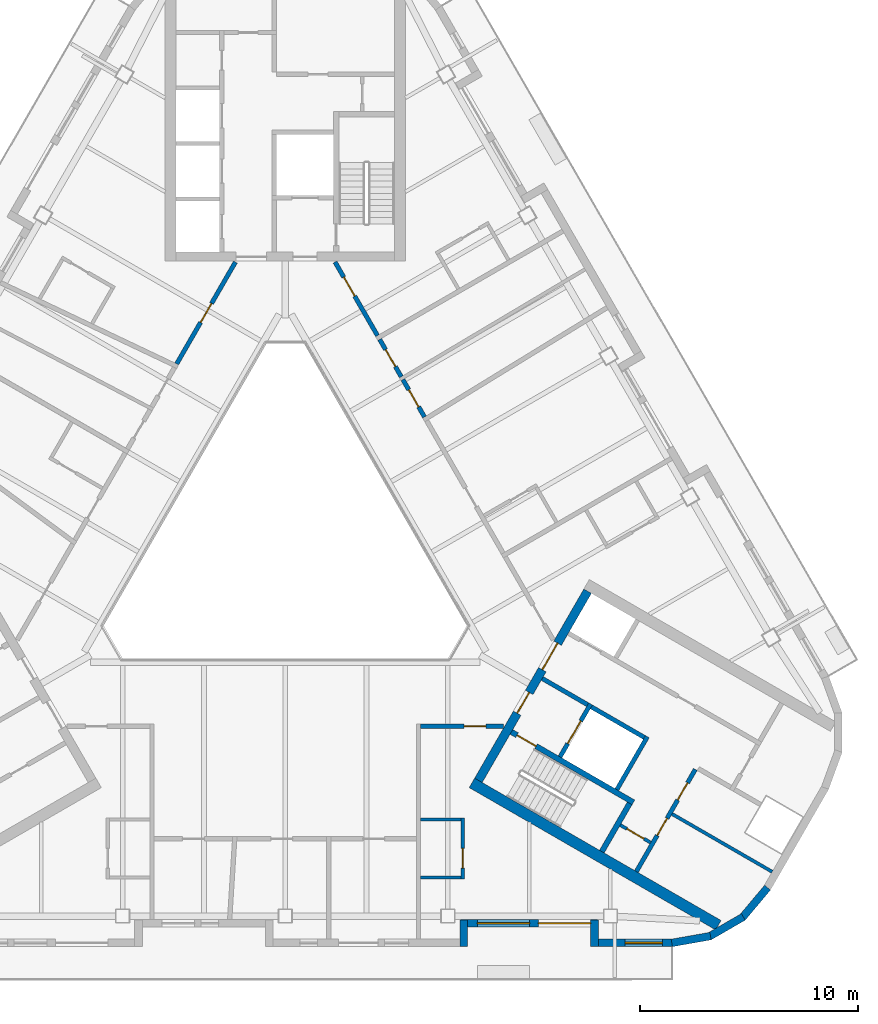
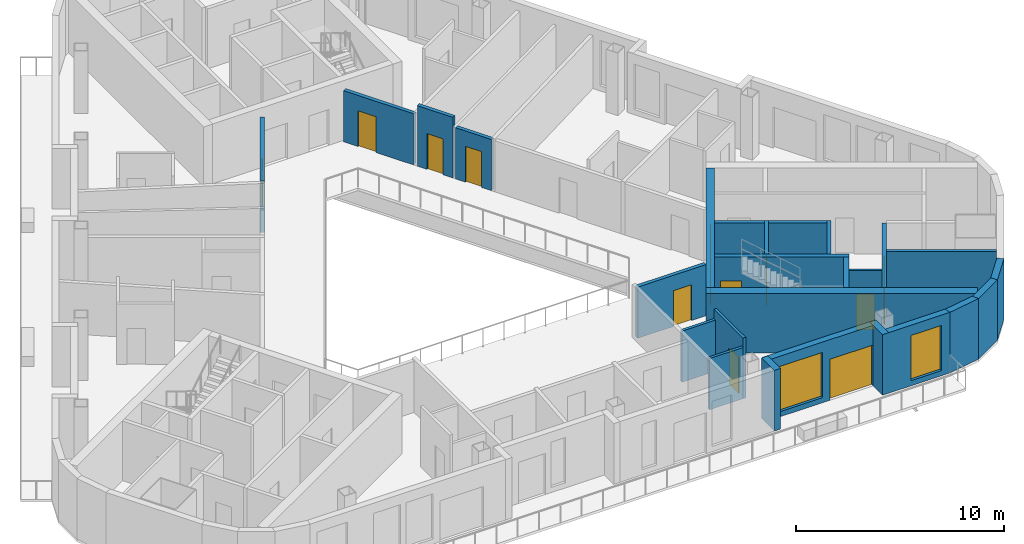
# One storey, part 5 of 13: 26 walls, 14 doors, 2 windows, 16 openings.
"""IFC4 building model written with IfcOpenShell, lengths in metres."""

import ifcopenshell
import ifcopenshell.guid

model = None  # the IFC model being written
_history = None  # IfcOwnerHistory: only IFC2X3 demands one
_inside = {}  # id of a spatial element -> (the spatial element, [elements in it])
_under = {}  # id of a project, library or spatial element -> (it, [spatial elements below it])
_declared = {}  # id of a project -> (the project, [libraries it declares])
_typed = {}  # id of a type object -> (the type object, [elements of that type])
_made_of = {}  # id of a material, layer set ... -> (it, [elements and type objects made of it])


def new_model(schema):
    """Start an empty IFC model of exactly this schema.

    Asked for "IFC4X3", IfcOpenShell would pick the latest addendum, in which some entities
    have other attributes; the version numbers below select the first issue.
    IFC2X3 requires an IfcOwnerHistory on every rooted entity: one is made here for all.
    """
    global model, _history
    if schema == "IFC4X3":
        model = ifcopenshell.file(schema_version=(4, 3, 0, 0))
    else:
        model = ifcopenshell.file(schema=schema)
    _inside.clear()
    _under.clear()
    _declared.clear()
    _typed.clear()
    _made_of.clear()
    _history = None
    if model.schema == "IFC2X3":
        org = make("IfcOrganization", Name="unknown")
        user = make(
            "IfcPersonAndOrganization",
            ThePerson=make("IfcPerson", FamilyName="unknown"),
            TheOrganization=org,
        )
        app = make(
            "IfcApplication",
            ApplicationDeveloper=org,
            Version="unknown",
            ApplicationFullName="unknown",
            ApplicationIdentifier="unknown",
        )
        _history = make(
            "IfcOwnerHistory",
            OwningUser=user,
            OwningApplication=app,
            ChangeAction="ADDED",
            CreationDate=0,
        )
    return model


def make(cls, **values):
    """One entity of the class cls with the attributes given. An attribute that is None is left unset."""
    return model.create_entity(
        cls, **{name: value for name, value in values.items() if value is not None}
    )


def rooted(cls, **values):
    """An entity with a GlobalId (a new one), such as an element, a storey or a relation."""
    return make(cls, GlobalId=ifcopenshell.guid.new(), OwnerHistory=_history, **values)


def si_unit(unit_type, name, prefix=None):
    """IfcSIUnit, for example si_unit("LENGTHUNIT", "METRE", prefix="MILLI")."""
    return make("IfcSIUnit", UnitType=unit_type, Prefix=prefix, Name=name)


def assignment(units):
    """IfcUnitAssignment: the units of a project."""
    return None if units is None else make("IfcUnitAssignment", Units=units)


def point(xyz):
    """IfcCartesianPoint."""
    return None if xyz is None else make("IfcCartesianPoint", Coordinates=xyz)


def direction(xyz):
    """IfcDirection."""
    return None if xyz is None else make("IfcDirection", DirectionRatios=xyz)


def frame(location, z_axis=None, x_axis=None):
    """IfcAxis2Placement3D, a coordinate frame: its origin and axes. An axis left out is left unset."""
    return make(
        "IfcAxis2Placement3D",
        Location=point(location),
        Axis=direction(z_axis),
        RefDirection=direction(x_axis),
    )


def frame_2d(location, x_axis=None):
    """IfcAxis2Placement2D, a coordinate frame in the plane: its origin and x axis."""
    return make(
        "IfcAxis2Placement2D", Location=point(location), RefDirection=direction(x_axis)
    )


def origin():
    """The frame at (0, 0, 0) with its axes left unset."""
    return frame((0.0, 0.0, 0.0))


def place(relative_to, where):
    """IfcLocalPlacement: puts the frame where relative to a parent placement (None: the world)."""
    return make(
        "IfcLocalPlacement", PlacementRelTo=relative_to, RelativePlacement=where
    )


def context(
    kind, dimensions, precision=None, world=None, true_north=None, identifier=None
):
    """IfcGeometricRepresentationContext, for example the 3D "Model" context."""
    return make(
        "IfcGeometricRepresentationContext",
        ContextIdentifier=identifier,
        ContextType=kind,
        CoordinateSpaceDimension=dimensions,
        Precision=precision,
        WorldCoordinateSystem=world,
        TrueNorth=true_north,
    )


def subcontext(parent, identifier, kind, view, scale=None):
    """IfcGeometricRepresentationSubContext, for example "Body" below "Model"."""
    return make(
        "IfcGeometricRepresentationSubContext",
        ContextIdentifier=identifier,
        ContextType=kind,
        ParentContext=parent,
        TargetScale=scale,
        TargetView=view,
    )


def project(units=None, contexts=None):
    """IfcProject with its units and contexts."""
    return rooted(
        "IfcProject",
        Name="project",
        RepresentationContexts=contexts,
        UnitsInContext=assignment(units),
    )


def spatial(cls, under=None, at=None, **own):
    """A site, building, storey or space (cls), placed at a placement, below another one or the project."""
    s = rooted(cls, ObjectPlacement=at, **own)
    if under is not None:
        _under.setdefault(under.id(), (under, []))[1].append(s)
    return s


def profile(cls, at=None, kind="AREA", **sizes):
    """A parametric profile (cls). Its sizes go by their IFC names, for example OverallWidth=200.0."""
    return make(cls, ProfileType=kind, Position=at, **sizes)


def rectangle(**sizes):
    """IfcRectangleProfileDef."""
    return profile("IfcRectangleProfileDef", **sizes)


def extrude(swept, where, along, depth):
    """IfcExtrudedAreaSolid: the profile swept, set in the frame where, extruded along a direction by depth."""
    return make(
        "IfcExtrudedAreaSolid",
        SweptArea=swept,
        Position=where,
        ExtrudedDirection=direction(along),
        Depth=depth,
    )


def shape(context_of_items, identifier, shape_type, items):
    """IfcShapeRepresentation: the items that make up one representation, for example the "Body"."""
    return make(
        "IfcShapeRepresentation",
        ContextOfItems=context_of_items,
        RepresentationIdentifier=identifier,
        RepresentationType=shape_type,
        Items=items,
    )


def material(Name=None, Category=None):
    """IfcMaterial."""
    return make("IfcMaterial", Name=Name, Category=Category)


def layer(
    of_material, thickness, ventilated=None, Name=None, Category=None, Priority=None
):
    """IfcMaterialLayer: one layer of a wall or slab, of a material (None: an air gap)."""
    return make(
        "IfcMaterialLayer",
        Material=of_material,
        LayerThickness=thickness,
        IsVentilated=ventilated,
        Name=Name,
        Category=Category,
        Priority=Priority,
    )


def layer_set(layers, Name=None):
    """IfcMaterialLayerSet."""
    return make("IfcMaterialLayerSet", MaterialLayers=layers, LayerSetName=Name)


def made_of(thing, what):
    """Note that an element or type object is made of a material, layer set ...; save() writes the relation."""
    if what is not None:
        _made_of.setdefault(what.id(), (what, []))[1].append(thing)
    return thing


def type_object(cls, material=None, **own):
    """A type object (cls), such as IfcWallType, which elements share."""
    return made_of(rooted(cls, **own), material)


def element(
    cls,
    number,
    at=None,
    inside=None,
    cuts=None,
    type_object=None,
    material=None,
    context=None,
    identifier="Body",
    shape_type=None,
    held_by="IfcProductDefinitionShape",
    body=None,
    shapes=None,
    **own,
):
    """One element of the class cls, such as IfcWall. Its Tag is "e" and its number.

    at: its placement. inside: the storey or other place that contains it. cuts: it is an
    opening in that element (IfcRelVoidsElement). A single representation is given by context,
    identifier, shape_type and body (its items); several are given by shapes. held_by: the class
    of the entity that holds the representations. save() writes the other relations.
    """
    e = rooted(cls, Tag="e%d" % number, ObjectPlacement=at, **own)
    if body is not None:
        shapes = [shape(context, identifier, shape_type, body)]
    if shapes is not None:
        e.Representation = make(held_by, Representations=shapes)
    if inside is not None:
        _inside.setdefault(inside.id(), (inside, []))[1].append(e)
    if cuts is not None:
        rooted(
            "IfcRelVoidsElement", RelatingBuildingElement=cuts, RelatedOpeningElement=e
        )
    if type_object is not None:
        _typed.setdefault(type_object.id(), (type_object, []))[1].append(e)
    return made_of(e, material)


def fill(opening, filler):
    """IfcRelFillsElement: the door or window that sits in an opening."""
    return rooted(
        "IfcRelFillsElement",
        RelatingOpeningElement=opening,
        RelatedBuildingElement=filler,
    )


def aggregate(whole, parts):
    """IfcRelAggregates: a whole, such as a stair, and the parts it consists of."""
    return rooted("IfcRelAggregates", RelatingObject=whole, RelatedObjects=parts)


def save(model, path):
    """Write the relations noted so far, then the file.

    IfcRelAggregates (storeys below a building ...), IfcRelContainedInSpatialStructure (elements
    in a storey), IfcRelDefinesByType, IfcRelAssociatesMaterial and IfcRelDeclares: one each for
    every whole, place, type object, material and project.
    """
    for whole, parts in _under.values():
        aggregate(whole, parts)
    for where, things in _inside.values():
        rooted(
            "IfcRelContainedInSpatialStructure",
            RelatedElements=things,
            RelatingStructure=where,
        )
    for kind, things in _typed.values():
        rooted("IfcRelDefinesByType", RelatedObjects=things, RelatingType=kind)
    for what, things in _made_of.values():
        rooted("IfcRelAssociatesMaterial", RelatedObjects=things, RelatingMaterial=what)
    for by, libraries in _declared.values():
        rooted("IfcRelDeclares", RelatingContext=by, RelatedDefinitions=libraries)
    model.write(path)


model = new_model("IFC4")

# Units and contexts
model_context = context("Model", 3, precision=1e-05, world=origin(), true_north=direction((0.0, 1.0)))
body_context = subcontext(model_context, "Body", "Model", "MODEL_VIEW")
ifc_project = project(units=[si_unit("LENGTHUNIT", "METRE"), si_unit("AREAUNIT", "SQUARE_METRE"), si_unit("VOLUMEUNIT", "CUBIC_METRE"), si_unit("PLANEANGLEUNIT", "RADIAN"), si_unit("MASSUNIT", "GRAM", prefix="KILO")], contexts=[model_context])

# Site, building, storey
site_placement = place(None, origin())
site = spatial("IfcSite", under=ifc_project, at=site_placement, CompositionType="ELEMENT")
building_placement = place(site_placement, origin())
building = spatial("IfcBuilding", under=site, at=building_placement, Name="Apuvela Tower Hotel", CompositionType="ELEMENT")
storey_placement = place(building_placement, frame((0.0, 0.0, 272.60009765625)))
storey = spatial("IfcBuildingStorey", under=building, at=storey_placement, Name="L67", CompositionType="ELEMENT", Elevation=272.60009765625)

# Wall, openings, doors
ifc_material_1 = material(Name="Concrete C50/60", Category="concrete")
ifc_layer_1 = layer(ifc_material_1, 0.39990234375)
ifc_layer_set_1 = layer_set([ifc_layer_1], Name="COR-WALL-CORE-400")
wall_type_1 = type_object("IfcWallType", Name="COR-WALL-CORE-400", PredefinedType="SHEAR", material=ifc_layer_set_1)
wall_1_placement = place(storey_placement, frame((8.844970703125, -10.880126953125, 0.0), z_axis=(0.0, 0.0, 1.0), x_axis=(0.500004234368, 0.866022959057, 0.0)))
wall_1 = element("IfcWall", 1, at=wall_1_placement, inside=storey, type_object=wall_type_1, Name="Core wall SE", PredefinedType="SHEAR", context=body_context, shape_type="SweptSolid", body=[
    extrude(rectangle(XDim=10.0, YDim=0.39990234375, at=frame_2d((5.0, 0.0))), origin(), (0.0, 0.0, 1.0), 3.5),
])
opening_1_placement = place(wall_1_placement, frame((3.550048828125, 0.0, 0.0)))
opening_1 = element("IfcOpeningElement", 2, at=opening_1_placement, cuts=wall_1, Name="Opening E-FD", PredefinedType="OPENING", context=body_context, shape_type="SweptSolid", body=[
    extrude(rectangle(XDim=1.10009765625, YDim=2.10009765625, at=frame_2d((0.550048828125, 1.050048828125))), frame((0.0, 0.2099609375, 0.0), z_axis=(0.0, -1.0, 0.0), x_axis=(1.0, 0.0, 0.0)), (0.0, 0.0, 1.0), 0.419921875),
])
opening_2_placement = place(wall_1_placement, frame((5.85009765625, 0.0, 0.0)))
opening_2 = element("IfcOpeningElement", 3, at=opening_2_placement, cuts=wall_1, Name="Opening E-GD", PredefinedType="OPENING", context=body_context, shape_type="SweptSolid", body=[
    extrude(rectangle(XDim=1.39990234375, YDim=2.10009765625, at=frame_2d((0.699951171875, 1.050048828125))), frame((0.0, 0.2099609375, 0.0), z_axis=(0.0, -1.0, 0.0), x_axis=(1.0, 0.0, 0.0)), (0.0, 0.0, 1.0), 0.419921875),
])
ifc_material_2 = material(Name="Steel fire door, powder coated", Category="steel")
door_type_1 = type_object("IfcDoorType", Name="COR-FD-1100", OperationType="NOTDEFINED", PredefinedType="DOOR", material=ifc_material_2)
door_1_placement = place(opening_1_placement, frame((1.10009765625, 0.0, 0.0), z_axis=(0.0, 0.0, 1.0), x_axis=(-1.0, 0.0, 0.0)))
door_1 = element("IfcDoor", 4, at=door_1_placement, inside=storey, type_object=door_type_1, Name="Firefighting lobby door E-FD", OperationType="SINGLE_SWING_LEFT", OverallHeight=2.10009765625, OverallWidth=1.10009765625, PredefinedType="DOOR", context=body_context, shape_type="SweptSolid", body=[
    extrude(rectangle(XDim=1.10009765625, YDim=2.10009765625, at=frame_2d((0.550048828125, 1.050048828125))), frame((0.0, 0.02490234375, 0.0), z_axis=(0.0, -1.0, 0.0), x_axis=(1.0, 0.0, 0.0)), (0.0, 0.0, 1.0), 0.050048828125),
])
fill(opening_1, door_1)
ifc_material_3 = material(Name="Glazed steel fire door", Category="steel")
door_type_2 = type_object("IfcDoorType", Name="COR-GD-1400", OperationType="DOUBLE_DOOR_SINGLE_SWING", PredefinedType="DOOR", material=ifc_material_3)
door_2_placement = place(opening_2_placement, frame((1.39990234375, 0.0, 0.0), z_axis=(0.0, 0.0, 1.0), x_axis=(-1.0, 0.0, 0.0)))
door_2 = element("IfcDoor", 5, at=door_2_placement, inside=storey, type_object=door_type_2, Name="Lift lobby door E-GD", OperationType="DOUBLE_DOOR_SINGLE_SWING", OverallHeight=2.10009765625, OverallWidth=1.39990234375, PredefinedType="DOOR", context=body_context, shape_type="SweptSolid", body=[
    extrude(rectangle(XDim=1.39990234375, YDim=2.10009765625, at=frame_2d((0.699951171875, 1.050048828125))), frame((0.0, 0.02490234375, 0.0), z_axis=(0.0, -1.0, 0.0), x_axis=(1.0, 0.0, 0.0)), (0.0, 0.0, 1.0), 0.050048828125),
])
fill(opening_2, door_2)

# Wall
ifc_layer_2 = layer(ifc_material_1, 0.5)
ifc_layer_set_2 = layer_set([ifc_layer_2], Name="COR-WALL-CORE-500")
wall_type_2 = type_object("IfcWallType", Name="COR-WALL-CORE-500", PredefinedType="SHEAR", material=ifc_layer_set_2)
wall_2_placement = place(storey_placement, frame((8.546630859375, -10.99658203125, 0.0), z_axis=(0.0, 0.0, 1.0), x_axis=(0.866030218785, -0.499991660082, 0.0)))
element("IfcWall", 6, at=wall_2_placement, inside=storey, type_object=wall_type_2, Name="Core wall SE", PredefinedType="SHEAR", context=body_context, shape_type="SweptSolid", body=[
    extrude(rectangle(XDim=13.031494140625, YDim=0.5, at=frame_2d((6.515625, 0.0))), origin(), (0.0, 0.0, 1.0), 3.5),
])

# Wall, opening, door
ifc_material_4 = material(Name="Blockwork 150 mm plastered", Category="masonry")
ifc_layer_3 = layer(ifc_material_4, 0.14990234375)
ifc_layer_set_3 = layer_set([ifc_layer_3], Name="COR-WALL-PART-150")
wall_type_3 = type_object("IfcWallType", Name="COR-WALL-PART-150", PredefinedType="PARTITIONING", material=ifc_layer_set_3)
wall_3_placement = place(storey_placement, frame((15.341552734375, -12.927734375, 0.0), z_axis=(0.0, 0.0, 1.0), x_axis=(0.865989903783, -0.500061482766, 0.0)))
wall_3 = element("IfcWall", 7, at=wall_3_placement, inside=storey, type_object=wall_type_3, Name="Partition SE", PredefinedType="PARTITIONING", context=body_context, shape_type="SweptSolid", body=[
    extrude(rectangle(XDim=1.599853515625, YDim=0.14990234375, at=frame_2d((0.7998046875, 0.0))), origin(), (0.0, 0.0, 1.0), 3.5),
])
opening_3_placement = place(wall_3_placement, frame((0.35009765625, 0.0, 0.0)))
opening_3 = element("IfcOpeningElement", 8, at=opening_3_placement, cuts=wall_3, Name="Opening E-RD", PredefinedType="OPENING", context=body_context, shape_type="SweptSolid", body=[
    extrude(rectangle(XDim=0.89990234375, YDim=2.10009765625, at=frame_2d((0.449951171875, 1.050048828125))), frame((0.0, 0.0849609375, 0.0), z_axis=(0.0, -1.0, 0.0), x_axis=(1.0, 0.0, 0.0)), (0.0, 0.0, 1.0), 0.169921875),
])
ifc_material_5 = material(Name="Steel access door, powder coated", Category="steel")
door_type_3 = type_object("IfcDoorType", Name="COR-RD-900", OperationType="NOTDEFINED", PredefinedType="DOOR", material=ifc_material_5)
door_3_placement = place(opening_3_placement, frame((0.89990234375, 0.0, 0.0), z_axis=(0.0, 0.0, 1.0), x_axis=(-1.0, 0.0, 0.0)))
door_3 = element("IfcDoor", 9, at=door_3_placement, inside=storey, type_object=door_type_3, Name="Riser door E-RD", OperationType="SINGLE_SWING_LEFT", OverallHeight=2.10009765625, OverallWidth=0.89990234375, PredefinedType="DOOR", context=body_context, shape_type="SweptSolid", body=[
    extrude(rectangle(XDim=0.89990234375, YDim=2.10009765625, at=frame_2d((0.449951171875, 1.050048828125))), frame((0.0, 0.02490234375, 0.0), z_axis=(0.0, -1.0, 0.0), x_axis=(1.0, 0.0, 0.0)), (0.0, 0.0, 1.0), 0.050048828125),
])
fill(opening_3, door_3)

# Wall
wall_4_placement = place(storey_placement, frame((17.712890625, -12.42041015625, 0.0), z_axis=(0.0, 0.0, 1.0), x_axis=(0.866028878405, -0.499993981732, 0.0)))
element("IfcWall", 10, at=wall_4_placement, inside=storey, type_object=wall_type_3, Name="Partition SE", PredefinedType="PARTITIONING", context=body_context, shape_type="SweptSolid", body=[
    extrude(rectangle(XDim=5.29248046875, YDim=0.14990234375, at=frame_2d((2.646240234375, 0.0))), origin(), (0.0, 0.0, 1.0), 3.5),
])

# Wall, openings, doors
ifc_material_6 = material(Name="Blockwork 200 mm plastered", Category="masonry")
ifc_layer_4 = layer(ifc_material_6, 0.199951171875)
ifc_layer_set_4 = layer_set([ifc_layer_4], Name="COR-WALL-PART-200")
wall_type_4 = type_object("IfcWallType", Name="COR-WALL-PART-200", PredefinedType="PARTITIONING", material=ifc_layer_set_4)
wall_5_placement = place(storey_placement, frame((16.076171875, -15.05517578125, 0.0), z_axis=(0.0, 0.0, 1.0), x_axis=(0.499995103361, 0.866028230842, 0.0)))
wall_5 = element("IfcWall", 11, at=wall_5_placement, inside=storey, type_object=wall_type_4, Name="Partition SE", PredefinedType="PARTITIONING", context=body_context, shape_type="SweptSolid", body=[
    extrude(rectangle(XDim=5.39990234375, YDim=0.199951171875, at=frame_2d((2.699951171875, 0.0))), origin(), (0.0, 0.0, 1.0), 3.5),
])
opening_4_placement = place(wall_5_placement, frame((1.91259765625, 0.0, 0.0)))
opening_4 = element("IfcOpeningElement", 12, at=opening_4_placement, cuts=wall_5, Name="Opening E-RS1", PredefinedType="OPENING", context=body_context, shape_type="SweptSolid", body=[
    extrude(rectangle(XDim=0.89990234375, YDim=2.10009765625, at=frame_2d((0.449951171875, 1.050048828125))), frame((0.0, 0.10986328125, 0.0), z_axis=(0.0, -1.0, 0.0), x_axis=(1.0, 0.0, 0.0)), (0.0, 0.0, 1.0), 0.219970703125),
])
opening_5_placement = place(wall_5_placement, frame((3.78759765625, 0.0, 0.0)))
opening_5 = element("IfcOpeningElement", 13, at=opening_5_placement, cuts=wall_5, Name="Opening E-RS2", PredefinedType="OPENING", context=body_context, shape_type="SweptSolid", body=[
    extrude(rectangle(XDim=0.89990234375, YDim=2.10009765625, at=frame_2d((0.449951171875, 1.050048828125))), frame((0.0, 0.10986328125, 0.0), z_axis=(0.0, -1.0, 0.0), x_axis=(1.0, 0.0, 0.0)), (0.0, 0.0, 1.0), 0.219970703125),
])
door_type_4 = type_object("IfcDoorType", Name="COR-DR-900", OperationType="NOTDEFINED", PredefinedType="DOOR", material=ifc_material_2)
door_4_placement = place(opening_4_placement, frame((0.89990234375, 0.0, 0.0), z_axis=(0.0, 0.0, 1.0), x_axis=(-1.0, 0.0, 0.0)))
door_4 = element("IfcDoor", 14, at=door_4_placement, inside=storey, type_object=door_type_4, Name="Store door E-RS1", OperationType="SINGLE_SWING_LEFT", OverallHeight=2.10009765625, OverallWidth=0.89990234375, PredefinedType="DOOR", context=body_context, shape_type="SweptSolid", body=[
    extrude(rectangle(XDim=0.89990234375, YDim=2.10009765625, at=frame_2d((0.449951171875, 1.050048828125))), frame((0.0, 0.02490234375, 0.0), z_axis=(0.0, -1.0, 0.0), x_axis=(1.0, 0.0, 0.0)), (0.0, 0.0, 1.0), 0.050048828125),
])
fill(opening_4, door_4)
door_5_placement = place(opening_5_placement, frame((0.89990234375, 0.0, 0.0), z_axis=(0.0, 0.0, 1.0), x_axis=(-1.0, 0.0, 0.0)))
door_5 = element("IfcDoor", 15, at=door_5_placement, inside=storey, type_object=door_type_4, Name="Store door E-RS2", OperationType="SINGLE_SWING_LEFT", OverallHeight=2.10009765625, OverallWidth=0.89990234375, PredefinedType="DOOR", context=body_context, shape_type="SweptSolid", body=[
    extrude(rectangle(XDim=0.89990234375, YDim=2.10009765625, at=frame_2d((0.449951171875, 1.050048828125))), frame((0.0, 0.02490234375, 0.0), z_axis=(0.0, -1.0, 0.0), x_axis=(1.0, 0.0, 0.0)), (0.0, 0.0, 1.0), 0.050048828125),
])
fill(opening_5, door_5)

# Wall
ifc_layer_5 = layer(ifc_material_1, 0.199951171875)
ifc_layer_set_5 = layer_set([ifc_layer_5], Name="COR-WALL-SHAFT-200")
wall_type_5 = type_object("IfcWallType", Name="COR-WALL-SHAFT-200", PredefinedType="SHEAR", material=ifc_layer_set_5)
wall_6_placement = place(storey_placement, frame((15.181396484375, -11.305419921875, 0.0), z_axis=(0.0, 0.0, 1.0), x_axis=(0.49994636267, 0.866056369097, 0.0)))
element("IfcWall", 16, at=wall_6_placement, inside=storey, type_object=wall_type_5, Name="Shaft wall SE", PredefinedType="SHEAR", context=body_context, shape_type="SweptSolid", body=[
    extrude(rectangle(XDim=2.800048828125, YDim=0.199951171875, at=frame_2d((1.39990234375, 0.0))), origin(), (0.0, 0.0, 1.0), 3.5),
])

# Wall, opening, door
wall_7_placement = place(storey_placement, frame((12.583251953125, -9.805419921875, 0.0), z_axis=(0.0, 0.0, 1.0), x_axis=(0.49994636267, 0.866056369097, 0.0)))
wall_7 = element("IfcWall", 17, at=wall_7_placement, inside=storey, type_object=wall_type_5, Name="Shaft wall SE", PredefinedType="SHEAR", context=body_context, shape_type="SweptSolid", body=[
    extrude(rectangle(XDim=2.800048828125, YDim=0.199951171875, at=frame_2d((1.39990234375, 0.0))), origin(), (0.0, 0.0, 1.0), 3.5),
])
opening_6_placement = place(wall_7_placement, frame((0.699951171875, 0.0, 0.0)))
opening_6 = element("IfcOpeningElement", 18, at=opening_6_placement, cuts=wall_7, Name="Opening E-LD-FS3", PredefinedType="OPENING", context=body_context, shape_type="SweptSolid", body=[
    extrude(rectangle(XDim=1.199951171875, YDim=2.10009765625, at=frame_2d((0.60009765625, 1.050048828125))), frame((0.0, 0.10986328125, 0.0), z_axis=(0.0, -1.0, 0.0), x_axis=(1.0, 0.0, 0.0)), (0.0, 0.0, 1.0), 0.219970703125),
])
ifc_material_7 = material(Name="Stainless steel lift landing door", Category="steel")
door_type_5 = type_object("IfcDoorType", Name="COR-LD-1200", OperationType="DOUBLE_DOOR_SLIDING", PredefinedType="DOOR", material=ifc_material_7)
door_6_placement = place(opening_6_placement, origin())
door_6 = element("IfcDoor", 19, at=door_6_placement, inside=storey, type_object=door_type_5, Name="Lift landing door E-LD-FS3", OperationType="DOUBLE_DOOR_SLIDING", OverallHeight=2.10009765625, OverallWidth=1.199951171875, PredefinedType="DOOR", context=body_context, shape_type="SweptSolid", body=[
    extrude(rectangle(XDim=1.199951171875, YDim=2.10009765625, at=frame_2d((0.60009765625, 1.050048828125))), frame((0.0, 0.02490234375, 0.0), z_axis=(0.0, -1.0, 0.0), x_axis=(1.0, 0.0, 0.0)), (0.0, 0.0, 1.0), 0.050048828125),
])
fill(opening_6, door_6)

# Walls
wall_8_placement = place(storey_placement, frame((11.76806640625, -6.217041015625, 0.0), z_axis=(0.0, 0.0, 1.0), x_axis=(0.866050077142, -0.499957262057, 0.0)))
element("IfcWall", 20, at=wall_8_placement, inside=storey, type_object=wall_type_5, Name="Shaft wall SE", PredefinedType="SHEAR", context=body_context, shape_type="SweptSolid", body=[
    extrude(rectangle(XDim=2.400146484375, YDim=0.199951171875, at=frame_2d((1.2001953125, 0.0))), origin(), (0.0, 0.0, 1.0), 3.5),
])
wall_9_placement = place(storey_placement, frame((14.019775390625, -7.51708984375, 0.0), z_axis=(0.0, 0.0, 1.0), x_axis=(0.866034573852, -0.49998411664, 0.0)))
element("IfcWall", 21, at=wall_9_placement, inside=storey, type_object=wall_type_5, Name="Shaft wall SE", PredefinedType="SHEAR", context=body_context, shape_type="SweptSolid", body=[
    extrude(rectangle(XDim=2.7998046875, YDim=0.199951171875, at=frame_2d((1.39990234375, 0.0))), origin(), (0.0, 0.0, 1.0), 3.5),
])

# Wall, opening, door
ifc_layer_6 = layer(ifc_material_1, 0.25)
ifc_layer_set_6 = layer_set([ifc_layer_6], Name="COR-WALL-STAIR-250")
wall_type_6 = type_object("IfcWallType", Name="COR-WALL-STAIR-250", PredefinedType="SHEAR", material=ifc_layer_set_6)
wall_10_placement = place(storey_placement, frame((10.355712890625, -8.66357421875, 0.0), z_axis=(0.0, 0.0, 1.0), x_axis=(0.866028629588, -0.499994412703, 0.0)))
wall_10 = element("IfcWall", 22, at=wall_10_placement, inside=storey, type_object=wall_type_6, Name="Stair wall SE", PredefinedType="SHEAR", context=body_context, shape_type="SweptSolid", body=[
    extrude(rectangle(XDim=6.44970703125, YDim=0.25, at=frame_2d((3.224853515625, 0.0))), origin(), (0.0, 0.0, 1.0), 3.5),
])
opening_7_placement = place(wall_10_placement, frame((0.300048828125, 0.0, 0.0)))
opening_7 = element("IfcOpeningElement", 23, at=opening_7_placement, cuts=wall_10, Name="Opening E-SD", PredefinedType="OPENING", context=body_context, shape_type="SweptSolid", body=[
    extrude(rectangle(XDim=1.0, YDim=2.10009765625, at=frame_2d((0.5, 1.050048828125))), frame((0.0, 0.135009765625, 0.0), z_axis=(0.0, -1.0, 0.0), x_axis=(1.0, 0.0, 0.0)), (0.0, 0.0, 1.0), 0.27001953125),
])
door_type_6 = type_object("IfcDoorType", Name="COR-SD-1000", OperationType="NOTDEFINED", PredefinedType="DOOR", material=ifc_material_2)
door_7_placement = place(opening_7_placement, frame((1.0, 0.0, 0.0), z_axis=(0.0, 0.0, 1.0), x_axis=(-1.0, 0.0, 0.0)))
door_7 = element("IfcDoor", 24, at=door_7_placement, inside=storey, type_object=door_type_6, Name="Stair door E-SD", OperationType="SINGLE_SWING_LEFT", OverallHeight=2.10009765625, OverallWidth=1.0, PredefinedType="DOOR", context=body_context, shape_type="SweptSolid", body=[
    extrude(rectangle(XDim=1.0, YDim=2.10009765625, at=frame_2d((0.5, 1.050048828125))), frame((0.0, 0.02490234375, 0.0), z_axis=(0.0, -1.0, 0.0), x_axis=(1.0, 0.0, 0.0)), (0.0, 0.0, 1.0), 0.050048828125),
])
fill(opening_7, door_7)

# Walls
wall_11_placement = place(storey_placement, frame((14.49560546875, -14.142578125, 0.0), z_axis=(0.0, 0.0, 1.0), x_axis=(0.500062241894, 0.865989465428, 0.0)))
element("IfcWall", 25, at=wall_11_placement, inside=storey, type_object=wall_type_6, Name="Stair wall SE", PredefinedType="SHEAR", context=body_context, shape_type="SweptSolid", body=[
    extrude(rectangle(XDim=2.550048828125, YDim=0.25, at=frame_2d((1.27490234375, 0.0))), origin(), (0.0, 0.0, 1.0), 3.5),
])
ifc_material_8 = material(Name="Concrete C40/50, dark pigmented precast panel", Category="concrete")
ifc_layer_7 = layer(ifc_material_8, 0.35009765625)
ifc_layer_set_7 = layer_set([ifc_layer_7], Name="ENV-WALL-350")
wall_type_7 = type_object("IfcWallType", Name="ENV-WALL-350", PredefinedType="SOLIDWALL", material=ifc_layer_set_7)
wall_12_placement = place(storey_placement, frame((8.168701171875, -18.495849609375, 0.0), z_axis=(0.0, 0.0, 1.0), x_axis=(0.0, 1.0, 0.0)))
element("IfcWall", 26, at=wall_12_placement, inside=storey, type_object=wall_type_7, Name="External wall L67-22", PredefinedType="SOLIDWALL", context=body_context, shape_type="SweptSolid", body=[
    extrude(rectangle(XDim=1.219970703125, YDim=0.35009765625, at=frame_2d((0.60986328125, 0.0))), origin(), (0.0, 0.0, 1.0), 3.5498046875),
])

# Wall, openings, door, window
wall_13_placement = place(storey_placement, frame((8.023681640625, -17.4208984375, 0.0), z_axis=(0.0, 0.0, 1.0), x_axis=(1.0, 0.0, 0.0)))
wall_13 = element("IfcWall", 27, at=wall_13_placement, inside=storey, type_object=wall_type_7, Name="External wall L67-23", PredefinedType="SOLIDWALL", context=body_context, shape_type="SweptSolid", body=[
    extrude(rectangle(XDim=6.283447265625, YDim=0.35009765625, at=frame_2d((3.1416015625, 0.0))), origin(), (0.0, 0.0, 1.0), 3.5498046875),
])
opening_8_placement = place(wall_13_placement, frame((3.563232421875, 0.0, 0.0)))
opening_8 = element("IfcOpeningElement", 28, at=opening_8_placement, cuts=wall_13, Name="Opening BD24", PredefinedType="OPENING", context=body_context, shape_type="SweptSolid", body=[
    extrude(rectangle(XDim=2.39990234375, YDim=2.39990234375, at=frame_2d((1.199951171875, 1.199951171875))), frame((0.0, 0.18505859375, 0.0), z_axis=(0.0, -1.0, 0.0), x_axis=(1.0, 0.0, 0.0)), (0.0, 0.0, 1.0), 0.3701171875),
])
opening_9_placement = place(wall_13_placement, frame((0.77001953125, 0.0, 0.300048828125)))
opening_9 = element("IfcOpeningElement", 29, at=opening_9_placement, cuts=wall_13, Name="Opening WN24", PredefinedType="OPENING", context=body_context, shape_type="SweptSolid", body=[
    extrude(rectangle(XDim=2.39990234375, YDim=2.64990234375, at=frame_2d((1.199951171875, 1.324951171875))), frame((0.0, 0.18505859375, 0.0), z_axis=(0.0, -1.0, 0.0), x_axis=(1.0, 0.0, 0.0)), (0.0, 0.0, 1.0), 0.3701171875),
])
ifc_material_9 = material(Name="Aluminium 6063-T6, dark bronze anodised frame with dark tinted laminated glass", Category="aluminium")
door_type_7 = type_object("IfcDoorType", Name="ENV-DOOR-BALCONY-2400x2400", OperationType="SLIDING_TO_LEFT", PredefinedType="DOOR", material=ifc_material_9)
door_8_placement = place(opening_8_placement, frame((2.39990234375, 0.0, 0.0), z_axis=(0.0, 0.0, 1.0), x_axis=(-1.0, 0.0, 0.0)))
door_8 = element("IfcDoor", 30, at=door_8_placement, inside=storey, type_object=door_type_7, Name="Balcony door BD24", OperationType="SLIDING_TO_LEFT", OverallHeight=2.39990234375, OverallWidth=2.39990234375, PredefinedType="DOOR", context=body_context, shape_type="SweptSolid", body=[
    extrude(rectangle(XDim=2.39990234375, YDim=2.39990234375, at=frame_2d((1.199951171875, 1.199951171875))), frame((0.0, 0.02490234375, 0.0), z_axis=(0.0, -1.0, 0.0), x_axis=(1.0, 0.0, 0.0)), (0.0, 0.0, 1.0), 0.050048828125),
])
fill(opening_8, door_8)
ifc_material_10 = material(Name="Glass, dark tinted laminated insulated glazing unit", Category="glass")
window_type_1 = type_object("IfcWindowType", Name="ENV-WIN-2400x2650", PartitioningType="SINGLE_PANEL", PredefinedType="WINDOW", material=ifc_material_10)
window_1_placement = place(opening_9_placement, origin())
window_1 = element("IfcWindow", 31, at=window_1_placement, inside=storey, type_object=window_type_1, Name="Window WN24", OverallHeight=2.64990234375, OverallWidth=2.39990234375, PartitioningType="SINGLE_PANEL", PredefinedType="WINDOW", context=body_context, shape_type="SweptSolid", body=[
    extrude(rectangle(XDim=2.39990234375, YDim=2.64990234375, at=frame_2d((1.199951171875, 1.324951171875))), frame((0.0, 0.030029296875, 0.0), z_axis=(0.0, -1.0, 0.0), x_axis=(1.0, 0.0, 0.0)), (0.0, 0.0, 1.0), 0.06005859375),
])
fill(opening_9, window_1)

# Wall
wall_14_placement = place(storey_placement, frame((14.162109375, -17.27587890625, 0.0), z_axis=(0.0, 0.0, 1.0), x_axis=(0.0, -1.0, 0.0)))
element("IfcWall", 32, at=wall_14_placement, inside=storey, type_object=wall_type_7, Name="External wall L67-24", PredefinedType="SOLIDWALL", context=body_context, shape_type="SweptSolid", body=[
    extrude(rectangle(XDim=1.219970703125, YDim=0.35009765625, at=frame_2d((0.60986328125, 0.0))), origin(), (0.0, 0.0, 1.0), 3.5498046875),
])

# Wall, opening, window
wall_15_placement = place(storey_placement, frame((13.987060546875, -18.32080078125, 0.0), z_axis=(0.0, 0.0, 1.0), x_axis=(1.0, 0.0, 0.0)))
wall_15 = element("IfcWall", 33, at=wall_15_placement, inside=storey, type_object=wall_type_7, Name="External wall L67-25", PredefinedType="SOLIDWALL", context=body_context, shape_type="SweptSolid", body=[
    extrude(rectangle(XDim=3.74169921875, YDim=0.35009765625, at=frame_2d((1.870849609375, 0.0))), origin(), (0.0, 0.0, 1.0), 3.5498046875),
])
opening_10_placement = place(wall_15_placement, frame((1.57470703125, 0.0, 0.300048828125)))
opening_10 = element("IfcOpeningElement", 34, at=opening_10_placement, cuts=wall_15, Name="Opening WN17", PredefinedType="OPENING", context=body_context, shape_type="SweptSolid", body=[
    extrude(rectangle(XDim=1.699951171875, YDim=2.64990234375, at=frame_2d((0.85009765625, 1.324951171875))), frame((0.0, 0.18505859375, 0.0), z_axis=(0.0, -1.0, 0.0), x_axis=(1.0, 0.0, 0.0)), (0.0, 0.0, 1.0), 0.3701171875),
])
window_type_2 = type_object("IfcWindowType", Name="ENV-WIN-1700x2650", PartitioningType="SINGLE_PANEL", PredefinedType="WINDOW", material=ifc_material_10)
window_2_placement = place(opening_10_placement, origin())
window_2 = element("IfcWindow", 35, at=window_2_placement, inside=storey, type_object=window_type_2, Name="Window WN17", OverallHeight=2.64990234375, OverallWidth=1.699951171875, PartitioningType="SINGLE_PANEL", PredefinedType="WINDOW", context=body_context, shape_type="SweptSolid", body=[
    extrude(rectangle(XDim=1.699951171875, YDim=2.64990234375, at=frame_2d((0.85009765625, 1.324951171875))), frame((0.0, 0.030029296875, 0.0), z_axis=(0.0, -1.0, 0.0), x_axis=(1.0, 0.0, 0.0)), (0.0, 0.0, 1.0), 0.06005859375),
])
fill(opening_10, window_2)

# Walls
wall_16_placement = place(storey_placement, frame((17.6982421875, -18.323486328125, 0.0), z_axis=(0.0, 0.0, 1.0), x_axis=(0.984810858511, 0.173630564586, 0.0)))
element("IfcWall", 36, at=wall_16_placement, inside=storey, type_object=wall_type_7, Name="External wall L67-26", PredefinedType="SOLIDWALL", context=body_context, shape_type="SweptSolid", body=[
    extrude(rectangle(XDim=1.7998046875, YDim=0.35009765625, at=frame_2d((0.89990234375, 0.0))), origin(), (0.0, 0.0, 1.0), 3.5498046875),
])
wall_17_placement = place(storey_placement, frame((19.41357421875, -18.03173828125, 0.0), z_axis=(0.0, 0.0, 1.0), x_axis=(0.866047807691, 0.499961193289, 0.0)))
element("IfcWall", 37, at=wall_17_placement, inside=storey, type_object=wall_type_7, Name="External wall L67-27", PredefinedType="SOLIDWALL", context=body_context, shape_type="SweptSolid", body=[
    extrude(rectangle(XDim=1.800048828125, YDim=0.35009765625, at=frame_2d((0.89990234375, 0.0))), origin(), (0.0, 0.0, 1.0), 3.5498046875),
])
wall_18_placement = place(storey_placement, frame((20.92578125, -17.1708984375, 0.0), z_axis=(0.0, 0.0, 1.0), x_axis=(0.642756114672, 0.766070869471, 0.0)))
element("IfcWall", 38, at=wall_18_placement, inside=storey, type_object=wall_type_7, Name="External wall L67-28", PredefinedType="SOLIDWALL", context=body_context, shape_type="SweptSolid", body=[
    extrude(rectangle(XDim=1.799560546875, YDim=0.35009765625, at=frame_2d((0.89990234375, 0.0))), origin(), (0.0, 0.0, 1.0), 3.5498046875),
])

# Wall, opening, door
ifc_material_11 = material(Name="Gypsum board corridor wall on twin steel stud, acoustic", Category="steel")
ifc_layer_8 = layer(ifc_material_11, 0.199951171875)
ifc_layer_set_8 = layer_set([ifc_layer_8], Name="GST-PW2")
wall_type_8 = type_object("IfcWallType", Name="GST-PW2", PredefinedType="PARTITIONING", material=ifc_layer_set_8)
wall_19_placement = place(storey_placement, frame((9.98828125, -8.39990234375, 0.0), z_axis=(0.0, 0.0, 1.0), x_axis=(-1.0, 0.0, 0.0)))
wall_19 = element("IfcWall", 39, at=wall_19_placement, inside=storey, type_object=wall_type_8, Name="L67 partition 18", PredefinedType="PARTITIONING", context=body_context, shape_type="SweptSolid", body=[
    extrude(rectangle(XDim=3.788330078125, YDim=0.199951171875, at=frame_2d((1.89404296875, 0.0))), origin(), (0.0, 0.0, 1.0), 3.0),
])
opening_11_placement = place(wall_19_placement, frame((0.800048828125, 0.0, 0.0)))
opening_11 = element("IfcOpeningElement", 40, at=opening_11_placement, cuts=wall_19, Name="Opening GD26-07", PredefinedType="OPENING", context=body_context, shape_type="SweptSolid", body=[
    extrude(rectangle(XDim=1.0, YDim=2.10009765625, at=frame_2d((0.5, 1.050048828125))), frame((0.0, 0.10986328125, 0.0), z_axis=(0.0, -1.0, 0.0), x_axis=(1.0, 0.0, 0.0)), (0.0, 0.0, 1.0), 0.219970703125),
])
ifc_material_12 = material(Name="Timber door leaf in steel frame", Category="steel")
door_type_8 = type_object("IfcDoorType", Name="GST-D1", OperationType="NOTDEFINED", PredefinedType="DOOR", material=ifc_material_12)
door_9_placement = place(opening_11_placement, origin())
door_9 = element("IfcDoor", 41, at=door_9_placement, inside=storey, type_object=door_type_8, Name="Door L67-07", OperationType="SINGLE_SWING_RIGHT", OverallHeight=2.10009765625, OverallWidth=1.0, PredefinedType="DOOR", context=body_context, shape_type="SweptSolid", body=[
    extrude(rectangle(XDim=1.0, YDim=2.10009765625, at=frame_2d((0.5, 1.050048828125))), frame((0.0, 0.02490234375, 0.0), z_axis=(0.0, -1.0, 0.0), x_axis=(1.0, 0.0, 0.0)), (0.0, 0.0, 1.0), 0.050048828125),
])
fill(opening_11, door_9)

wall_20_placement = place(storey_placement, frame((5.3876953125, 7.468017578125, 0.0), z_axis=(0.0, 0.0, 1.0), x_axis=(0.500071767444, -0.865983964866, 0.0)))
wall_20 = element("IfcWall", 42, at=wall_20_placement, inside=storey, type_object=wall_type_8, Name="L67 partition 30", PredefinedType="PARTITIONING", context=body_context, shape_type="SweptSolid", body=[
    extrude(rectangle(XDim=1.976318359375, YDim=0.199951171875, at=frame_2d((0.98828125, 0.0))), origin(), (0.0, 0.0, 1.0), 3.0),
])
opening_12_placement = place(wall_20_placement, frame((0.5380859375, 0.0, 0.0)))
opening_12 = element("IfcOpeningElement", 43, at=opening_12_placement, cuts=wall_20, Name="Opening GD26-12", PredefinedType="OPENING", context=body_context, shape_type="SweptSolid", body=[
    extrude(rectangle(XDim=0.89990234375, YDim=2.10009765625, at=frame_2d((0.449951171875, 1.050048828125))), frame((0.0, 0.10986328125, 0.0), z_axis=(0.0, -1.0, 0.0), x_axis=(1.0, 0.0, 0.0)), (0.0, 0.0, 1.0), 0.219970703125),
])
door_type_9 = type_object("IfcDoorType", Name="GST-D2", OperationType="NOTDEFINED", PredefinedType="DOOR", material=ifc_material_12)
door_10_placement = place(opening_12_placement, origin())
door_10 = element("IfcDoor", 44, at=door_10_placement, inside=storey, type_object=door_type_9, Name="Door L67-12", OperationType="SINGLE_SWING_LEFT", OverallHeight=2.10009765625, OverallWidth=0.89990234375, PredefinedType="DOOR", context=body_context, shape_type="SweptSolid", body=[
    extrude(rectangle(XDim=0.89990234375, YDim=2.10009765625, at=frame_2d((0.449951171875, 1.050048828125))), frame((0.0, 0.02490234375, 0.0), z_axis=(0.0, -1.0, 0.0), x_axis=(1.0, 0.0, 0.0)), (0.0, 0.0, 1.0), 0.050048828125),
])
fill(opening_12, door_10)

wall_21_placement = place(storey_placement, frame((4.32470703125, 9.3095703125, 0.0), z_axis=(0.0, 0.0, 1.0), x_axis=(0.499925626596, -0.866068339032, 0.0)))
wall_21 = element("IfcWall", 45, at=wall_21_placement, inside=storey, type_object=wall_type_8, Name="L67 partition 31", PredefinedType="PARTITIONING", context=body_context, shape_type="SweptSolid", body=[
    extrude(rectangle(XDim=1.976318359375, YDim=0.199951171875, at=frame_2d((0.98828125, 0.0))), origin(), (0.0, 0.0, 1.0), 3.5498046875),
])
opening_13_placement = place(wall_21_placement, frame((0.5380859375, 0.0, 0.0)))
opening_13 = element("IfcOpeningElement", 46, at=opening_13_placement, cuts=wall_21, Name="Opening GD26-13", PredefinedType="OPENING", context=body_context, shape_type="SweptSolid", body=[
    extrude(rectangle(XDim=0.89990234375, YDim=2.10009765625, at=frame_2d((0.449951171875, 1.050048828125))), frame((0.0, 0.10986328125, 0.0), z_axis=(0.0, -1.0, 0.0), x_axis=(1.0, 0.0, 0.0)), (0.0, 0.0, 1.0), 0.219970703125),
])
door_11_placement = place(opening_13_placement, origin())
door_11 = element("IfcDoor", 47, at=door_11_placement, inside=storey, type_object=door_type_9, Name="Door L67-13", OperationType="SINGLE_SWING_RIGHT", OverallHeight=2.10009765625, OverallWidth=0.89990234375, PredefinedType="DOOR", context=body_context, shape_type="SweptSolid", body=[
    extrude(rectangle(XDim=0.89990234375, YDim=2.10009765625, at=frame_2d((0.449951171875, 1.050048828125))), frame((0.0, 0.02490234375, 0.0), z_axis=(0.0, -1.0, 0.0), x_axis=(1.0, 0.0, 0.0)), (0.0, 0.0, 1.0), 0.050048828125),
])
fill(opening_13, door_11)

wall_22_placement = place(storey_placement, frame((2.280517578125, 12.85009765625, 0.0), z_axis=(0.0, 0.0, 1.0), x_axis=(0.500008716408, -0.866020371305, 0.0)))
wall_22 = element("IfcWall", 48, at=wall_22_placement, inside=storey, type_object=wall_type_8, Name="L67 partition 32", PredefinedType="PARTITIONING", context=body_context, shape_type="SweptSolid", body=[
    extrude(rectangle(XDim=3.88818359375, YDim=0.199951171875, at=frame_2d((1.944091796875, 0.0))), origin(), (0.0, 0.0, 1.0), 3.0),
])
opening_14_placement = place(wall_22_placement, frame((0.800048828125, 0.0, 0.0)))
opening_14 = element("IfcOpeningElement", 49, at=opening_14_placement, cuts=wall_22, Name="Opening GD26-15", PredefinedType="OPENING", context=body_context, shape_type="SweptSolid", body=[
    extrude(rectangle(XDim=1.0, YDim=2.10009765625, at=frame_2d((0.5, 1.050048828125))), frame((0.0, 0.10986328125, 0.0), z_axis=(0.0, -1.0, 0.0), x_axis=(1.0, 0.0, 0.0)), (0.0, 0.0, 1.0), 0.219970703125),
])
door_12_placement = place(opening_14_placement, origin())
door_12 = element("IfcDoor", 50, at=door_12_placement, inside=storey, type_object=door_type_8, Name="Door L67-15", OperationType="SINGLE_SWING_RIGHT", OverallHeight=2.10009765625, OverallWidth=1.0, PredefinedType="DOOR", context=body_context, shape_type="SweptSolid", body=[
    extrude(rectangle(XDim=1.0, YDim=2.10009765625, at=frame_2d((0.5, 1.050048828125))), frame((0.0, 0.02490234375, 0.0), z_axis=(0.0, -1.0, 0.0), x_axis=(1.0, 0.0, 0.0)), (0.0, 0.0, 1.0), 0.050048828125),
])
fill(opening_14, door_12)

wall_23_placement = place(storey_placement, frame((-4.970458984375, 8.19091796875, 0.0), z_axis=(0.0, 0.0, 1.0), x_axis=(0.499994808408, 0.866028401131, 0.0)))
wall_23 = element("IfcWall", 51, at=wall_23_placement, inside=storey, type_object=wall_type_8, Name="L67 partition 36", PredefinedType="PARTITIONING", context=body_context, shape_type="SweptSolid", body=[
    extrude(rectangle(XDim=5.3798828125, YDim=0.199951171875, at=frame_2d((2.68994140625, 0.0))), origin(), (0.0, 0.0, 1.0), 3.0),
])
opening_15_placement = place(wall_23_placement, frame((2.18994140625, 0.0, 0.0)))
opening_15 = element("IfcOpeningElement", 52, at=opening_15_placement, cuts=wall_23, Name="Opening GD26-17", PredefinedType="OPENING", context=body_context, shape_type="SweptSolid", body=[
    extrude(rectangle(XDim=1.0, YDim=2.10009765625, at=frame_2d((0.5, 1.050048828125))), frame((0.0, 0.10986328125, 0.0), z_axis=(0.0, -1.0, 0.0), x_axis=(1.0, 0.0, 0.0)), (0.0, 0.0, 1.0), 0.219970703125),
])
door_13_placement = place(opening_15_placement, origin())
door_13 = element("IfcDoor", 53, at=door_13_placement, inside=storey, type_object=door_type_8, Name="Door L67-17", OperationType="SINGLE_SWING_LEFT", OverallHeight=2.10009765625, OverallWidth=1.0, PredefinedType="DOOR", context=body_context, shape_type="SweptSolid", body=[
    extrude(rectangle(XDim=1.0, YDim=2.10009765625, at=frame_2d((0.5, 1.050048828125))), frame((0.0, 0.02490234375, 0.0), z_axis=(0.0, -1.0, 0.0), x_axis=(1.0, 0.0, 0.0)), (0.0, 0.0, 1.0), 0.050048828125),
])
fill(opening_15, door_13)

ifc_material_13 = material(Name="Moisture-resistant gypsum board wet wall on steel stud", Category="steel")
ifc_layer_9 = layer(ifc_material_13, 0.14990234375)
ifc_layer_set_9 = layer_set([ifc_layer_9], Name="GST-PW3")
wall_type_9 = type_object("IfcWallType", Name="GST-PW3", PredefinedType="PARTITIONING", material=ifc_layer_set_9)
wall_24_placement = place(storey_placement, frame((8.125, -15.39990234375, 0.0), z_axis=(0.0, 0.0, 1.0), x_axis=(0.0, 1.0, 0.0)))
wall_24 = element("IfcWall", 54, at=wall_24_placement, inside=storey, type_object=wall_type_9, Name="L67 partition 19", PredefinedType="PARTITIONING", context=body_context, shape_type="SweptSolid", body=[
    extrude(rectangle(XDim=2.7998046875, YDim=0.14990234375, at=frame_2d((1.39990234375, 0.0))), origin(), (0.0, 0.0, 1.0), 3.5498046875),
])
opening_16_placement = place(wall_24_placement, frame((0.5, 0.0, 0.0)))
opening_16 = element("IfcOpeningElement", 55, at=opening_16_placement, cuts=wall_24, Name="Opening GD26-06", PredefinedType="OPENING", context=body_context, shape_type="SweptSolid", body=[
    extrude(rectangle(XDim=0.89990234375, YDim=2.10009765625, at=frame_2d((0.449951171875, 1.050048828125))), frame((0.0, 0.0849609375, 0.0), z_axis=(0.0, -1.0, 0.0), x_axis=(1.0, 0.0, 0.0)), (0.0, 0.0, 1.0), 0.169921875),
])
door_14_placement = place(opening_16_placement, origin())
door_14 = element("IfcDoor", 56, at=door_14_placement, inside=storey, type_object=door_type_9, Name="Door L67-06", OperationType="SINGLE_SWING_LEFT", OverallHeight=2.10009765625, OverallWidth=0.89990234375, PredefinedType="DOOR", context=body_context, shape_type="SweptSolid", body=[
    extrude(rectangle(XDim=0.89990234375, YDim=2.10009765625, at=frame_2d((0.449951171875, 1.050048828125))), frame((0.0, 0.02490234375, 0.0), z_axis=(0.0, -1.0, 0.0), x_axis=(1.0, 0.0, 0.0)), (0.0, 0.0, 1.0), 0.050048828125),
])
fill(opening_16, door_14)

# Walls
for number, where, z_axis, x_axis, name in (
    (57, (6.199951171875, -15.324951171875, 0.0), (0.0, 0.0, 1.0), (1.0, 0.0, 0.0), "L67 partition 20"),
    (58, (6.199951171875, -12.675048828125, 0.0), (0.0, 0.0, 1.0), (1.0, 0.0, 0.0), "L67 partition 21"),
):
    element("IfcWall", number, at=place(storey_placement, frame(where, z_axis=z_axis, x_axis=x_axis)), inside=storey, type_object=wall_type_9, Name=name, PredefinedType="PARTITIONING", context=body_context, shape_type="SweptSolid", body=[
        extrude(rectangle(XDim=1.85009765625, YDim=0.14990234375, at=frame_2d((0.925048828125, 0.0))), origin(), (0.0, 0.0, 1.0), 3.0),
    ])

save(model, "model.ifc")
